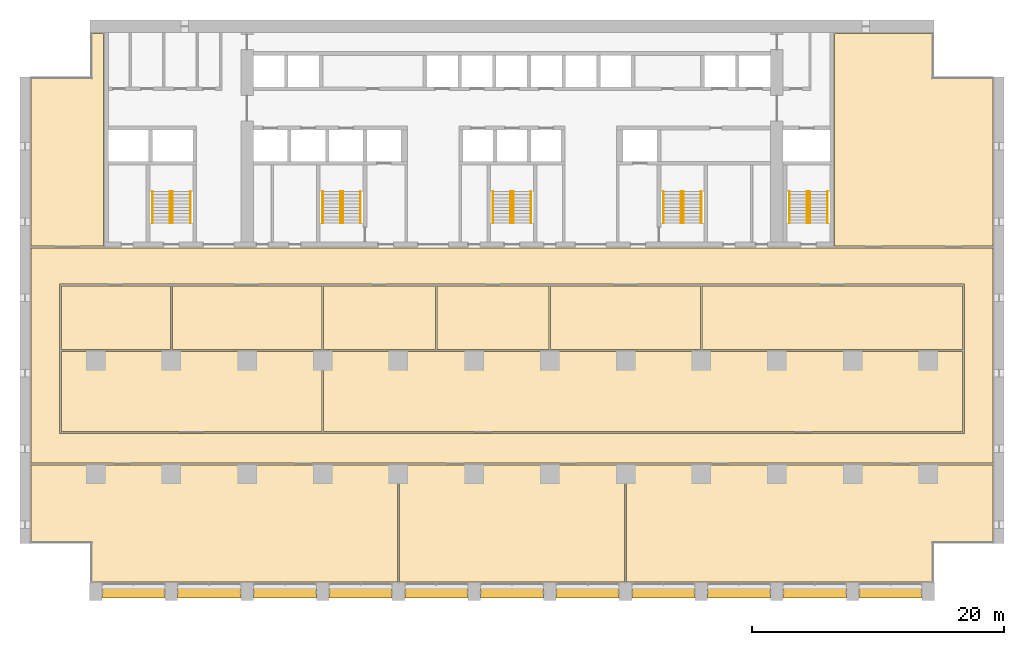
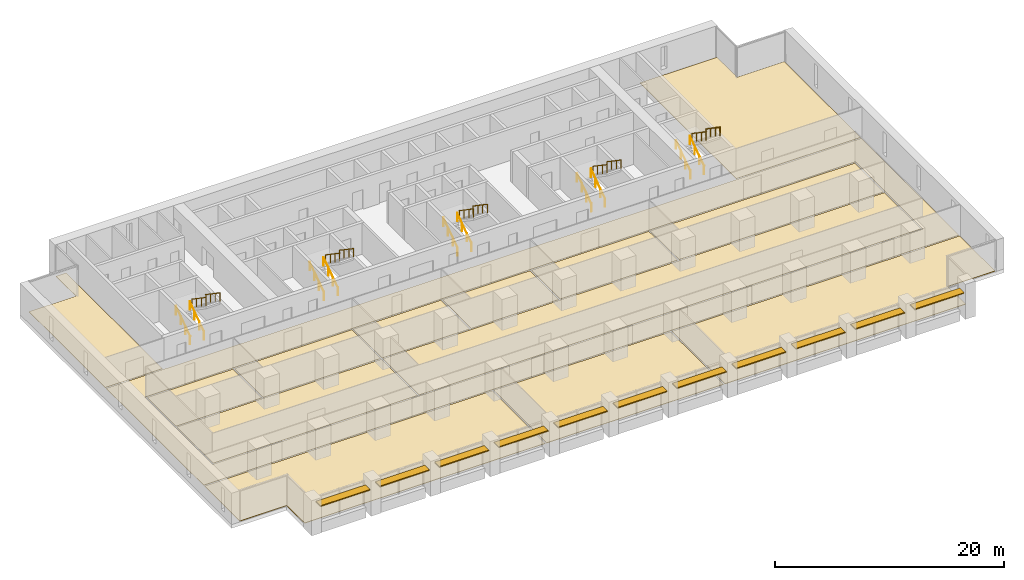
# One storey, part 17 of 17: 20 railings, 14 coverings, 11 shading devices, 5 elements without a shape of their own.
"""IFC4 building model written with IfcOpenShell, lengths in metres."""

from ifc_helpers import new_model, si_unit, direction, frame, origin, origin_2d, place, context, subcontext, project, spatial, polyline, rectangle, circle, outline, extrude, material, layer, layer_set, material_profile, profile_set, type_object, element, aggregate, save


model = new_model("IFC4")

# Units and contexts
model_context = context("Model", 3, precision=1e-05, world=origin(), true_north=direction((0.0, 1.0)))
body_context = subcontext(model_context, "Body", "Model", "MODEL_VIEW")
ifc_project = project(units=[si_unit("LENGTHUNIT", "METRE"), si_unit("AREAUNIT", "SQUARE_METRE"), si_unit("VOLUMEUNIT", "CUBIC_METRE"), si_unit("PLANEANGLEUNIT", "RADIAN"), si_unit("MASSUNIT", "GRAM", prefix="KILO")], contexts=[model_context])

# Site, building, storey
site_placement = place(None, origin())
site = spatial("IfcSite", under=ifc_project, at=site_placement, CompositionType="ELEMENT")
building_placement = place(site_placement, origin())
building = spatial("IfcBuilding", under=site, at=building_placement, Name="Calvaro Tower", CompositionType="ELEMENT")
storey_placement = place(building_placement, frame((0.0, 0.0, 75.0)))
storey = spatial("IfcBuildingStorey", under=building, at=storey_placement, Name="L18", CompositionType="ELEMENT", Elevation=75.0)

# Shading devices
ifc_material_1 = material(Name="Anodised aluminium", Category="aluminium")
ifc_material_profile = material_profile(ifc_material_1, rectangle(XDim=0.800048828125, YDim=0.10009765625, at=origin_2d()), Name="Brise-soleil blade 800 x 100")
ifc_profile_set = profile_set([ifc_material_profile], Name="Anodised aluminium")
shading_device_type = type_object("IfcShadingDeviceType", Name="Brise-soleil blade 800 x 100", PredefinedType="JALOUSIE", material=ifc_profile_set)
for number, where, z_axis, x_axis, name in (
    (1, (6.5, 0.60009765625, 2.300048828125), (1.0, 0.0, 0.0), (0.0, 1.0, 0.0), "Brise-soleil blade 1"),
    (2, (12.5, 0.60009765625, 2.300048828125), (1.0, 0.0, 0.0), (0.0, 1.0, 0.0), "Brise-soleil blade 2"),
    (3, (18.5, 0.60009765625, 2.300048828125), (1.0, 0.0, 0.0), (0.0, 1.0, 0.0), "Brise-soleil blade 3"),
    (4, (24.5, 0.60009765625, 2.300048828125), (1.0, 0.0, 0.0), (0.0, 1.0, 0.0), "Brise-soleil blade 4"),
    (5, (30.5, 0.60009765625, 2.300048828125), (1.0, 0.0, 0.0), (0.0, 1.0, 0.0), "Brise-soleil blade 5"),
    (6, (36.5, 0.60009765625, 2.300048828125), (1.0, 0.0, 0.0), (0.0, 1.0, 0.0), "Brise-soleil blade 6"),
    (7, (42.5, 0.60009765625, 2.300048828125), (1.0, 0.0, 0.0), (0.0, 1.0, 0.0), "Brise-soleil blade 7"),
    (8, (48.5, 0.60009765625, 2.300048828125), (1.0, 0.0, 0.0), (0.0, 1.0, 0.0), "Brise-soleil blade 8"),
    (9, (54.5, 0.60009765625, 2.300048828125), (1.0, 0.0, 0.0), (0.0, 1.0, 0.0), "Brise-soleil blade 9"),
    (10, (60.5, 0.60009765625, 2.300048828125), (1.0, 0.0, 0.0), (0.0, 1.0, 0.0), "Brise-soleil blade 10"),
    (11, (66.5, 0.60009765625, 2.300048828125), (1.0, 0.0, 0.0), (0.0, 1.0, 0.0), "Brise-soleil blade 11"),
):
    element("IfcShadingDevice", number, at=place(storey_placement, frame(where, z_axis=z_axis, x_axis=x_axis)), inside=storey, type_object=shading_device_type, Name=name, PredefinedType="JALOUSIE", context=body_context, shape_type="SweptSolid", body=[
        extrude(rectangle(XDim=0.800048828125, YDim=0.10009765625, at=origin_2d()), origin(), (0.0, 0.0, 1.0), 5.0),
    ])

# Coverings
ifc_material_2 = material(Name="Cement screed with carpet tile finish")
ifc_layer = layer(ifc_material_2, 0.050048828125)
ifc_layer_set = layer_set([ifc_layer], Name="Cement screed with carpet tile finish")
covering_type = type_object("IfcCoveringType", Name="Floor finish 50", PredefinedType="FLOORING", material=ifc_layer_set)
covering_1_placement = place(storey_placement, origin())
element("IfcCovering", 12, at=covering_1_placement, inside=storey, type_object=covering_type, Name="Floor finish 13.01", PredefinedType="FLOORING", context=body_context, shape_type="SweptSolid", body=[
    extrude(outline(polyline([(0.8701171875, 10.8701171875), (0.8701171875, 27.929931640625), (77.1298828125, 27.929931640625), (77.1298828125, 10.8701171875), (0.8701171875, 10.8701171875)]), holes=[polyline([(74.8701171875, 13.22998046875), (74.8701171875, 25.070068359375), (3.1298828125, 25.070068359375), (3.1298828125, 13.22998046875), (74.8701171875, 13.22998046875)])]), origin(), (0.0, 0.0, 1.0), 0.050048828125),
])
covering_2_placement = place(storey_placement, origin())
element("IfcCovering", 13, at=covering_2_placement, inside=storey, type_object=covering_type, Name="Floor finish 13.03", PredefinedType="FLOORING", context=body_context, shape_type="SweptSolid", body=[
    extrude(outline(polyline([(29.929931640625, 10.72998046875), (29.929931640625, 1.469970703125), (5.6201171875, 1.469970703125), (5.6201171875, 4.570068359375), (0.8701171875, 4.570068359375), (0.8701171875, 10.72998046875), (29.929931640625, 10.72998046875)])), origin(), (0.0, 0.0, 1.0), 0.050048828125),
])
covering_3_placement = place(storey_placement, origin())
element("IfcCovering", 14, at=covering_3_placement, inside=storey, type_object=covering_type, Name="Floor finish 13.02", PredefinedType="FLOORING", context=body_context, shape_type="SweptSolid", body=[
    extrude(outline(polyline([(30.070068359375, 10.72998046875), (47.929931640625, 10.72998046875), (47.929931640625, 1.469970703125), (30.070068359375, 1.469970703125), (30.070068359375, 10.72998046875)])), origin(), (0.0, 0.0, 1.0), 0.050048828125),
])
covering_4_placement = place(storey_placement, origin())
element("IfcCovering", 15, at=covering_4_placement, inside=storey, type_object=covering_type, Name="Floor finish 13.04", PredefinedType="FLOORING", context=body_context, shape_type="SweptSolid", body=[
    extrude(outline(polyline([(77.1298828125, 4.570068359375), (72.3798828125, 4.570068359375), (72.3798828125, 1.469970703125), (48.070068359375, 1.469970703125), (48.070068359375, 10.72998046875), (77.1298828125, 10.72998046875), (77.1298828125, 4.570068359375)])), origin(), (0.0, 0.0, 1.0), 0.050048828125),
])
covering_5_placement = place(storey_placement, origin())
element("IfcCovering", 16, at=covering_5_placement, inside=storey, type_object=covering_type, Name="Floor finish 13.05", PredefinedType="FLOORING", context=body_context, shape_type="SweptSolid", body=[
    extrude(outline(polyline([(3.27001953125, 13.3701171875), (3.27001953125, 19.72998046875), (23.929931640625, 19.72998046875), (23.929931640625, 13.3701171875), (3.27001953125, 13.3701171875)])), origin(), (0.0, 0.0, 1.0), 0.050048828125),
])
covering_6_placement = place(storey_placement, origin())
element("IfcCovering", 17, at=covering_6_placement, inside=storey, type_object=covering_type, Name="Floor finish 13.06", PredefinedType="FLOORING", context=body_context, shape_type="SweptSolid", body=[
    extrude(outline(polyline([(24.070068359375, 13.3701171875), (24.070068359375, 19.72998046875), (74.72998046875, 19.72998046875), (74.72998046875, 13.3701171875), (24.070068359375, 13.3701171875)])), origin(), (0.0, 0.0, 1.0), 0.050048828125),
])
covering_7_placement = place(storey_placement, origin())
element("IfcCovering", 18, at=covering_7_placement, inside=storey, type_object=covering_type, Name="Floor finish 13.07", PredefinedType="FLOORING", context=body_context, shape_type="SweptSolid", body=[
    extrude(outline(polyline([(3.27001953125, 19.8701171875), (3.27001953125, 24.929931640625), (11.929931640625, 24.929931640625), (11.929931640625, 19.8701171875), (3.27001953125, 19.8701171875)])), origin(), (0.0, 0.0, 1.0), 0.050048828125),
])
covering_8_placement = place(storey_placement, origin())
element("IfcCovering", 19, at=covering_8_placement, inside=storey, type_object=covering_type, Name="Floor finish 13.08", PredefinedType="FLOORING", context=body_context, shape_type="SweptSolid", body=[
    extrude(outline(polyline([(12.070068359375, 19.8701171875), (12.070068359375, 24.929931640625), (23.929931640625, 24.929931640625), (23.929931640625, 19.8701171875), (12.070068359375, 19.8701171875)])), origin(), (0.0, 0.0, 1.0), 0.050048828125),
])
covering_9_placement = place(storey_placement, origin())
element("IfcCovering", 20, at=covering_9_placement, inside=storey, type_object=covering_type, Name="Floor finish 13.09", PredefinedType="FLOORING", context=body_context, shape_type="SweptSolid", body=[
    extrude(outline(polyline([(24.070068359375, 19.8701171875), (24.070068359375, 24.929931640625), (32.929931640625, 24.929931640625), (32.929931640625, 19.8701171875), (24.070068359375, 19.8701171875)])), origin(), (0.0, 0.0, 1.0), 0.050048828125),
])
covering_10_placement = place(storey_placement, origin())
element("IfcCovering", 21, at=covering_10_placement, inside=storey, type_object=covering_type, Name="Floor finish 13.10", PredefinedType="FLOORING", context=body_context, shape_type="SweptSolid", body=[
    extrude(outline(polyline([(33.070068359375, 19.8701171875), (33.070068359375, 24.929931640625), (41.929931640625, 24.929931640625), (41.929931640625, 19.8701171875), (33.070068359375, 19.8701171875)])), origin(), (0.0, 0.0, 1.0), 0.050048828125),
])
covering_11_placement = place(storey_placement, origin())
element("IfcCovering", 22, at=covering_11_placement, inside=storey, type_object=covering_type, Name="Floor finish 13.11", PredefinedType="FLOORING", context=body_context, shape_type="SweptSolid", body=[
    extrude(outline(polyline([(42.070068359375, 19.8701171875), (42.070068359375, 24.929931640625), (53.929931640625, 24.929931640625), (53.929931640625, 19.8701171875), (42.070068359375, 19.8701171875)])), origin(), (0.0, 0.0, 1.0), 0.050048828125),
])
covering_12_placement = place(storey_placement, origin())
element("IfcCovering", 23, at=covering_12_placement, inside=storey, type_object=covering_type, Name="Floor finish 13.12", PredefinedType="FLOORING", context=body_context, shape_type="SweptSolid", body=[
    extrude(outline(polyline([(54.070068359375, 19.8701171875), (54.070068359375, 24.929931640625), (74.72998046875, 24.929931640625), (74.72998046875, 19.8701171875), (54.070068359375, 19.8701171875)])), origin(), (0.0, 0.0, 1.0), 0.050048828125),
])
covering_13_placement = place(storey_placement, origin())
element("IfcCovering", 24, at=covering_13_placement, inside=storey, type_object=covering_type, Name="Floor finish 13.13", PredefinedType="FLOORING", context=body_context, shape_type="SweptSolid", body=[
    extrude(outline(polyline([(6.6298828125, 28.070068359375), (0.8701171875, 28.070068359375), (0.8701171875, 41.429931640625), (5.6201171875, 41.429931640625), (5.6201171875, 44.929931640625), (6.6298828125, 44.929931640625), (6.6298828125, 28.070068359375)])), origin(), (0.0, 0.0, 1.0), 0.050048828125),
])
covering_14_placement = place(storey_placement, origin())
element("IfcCovering", 25, at=covering_14_placement, inside=storey, type_object=covering_type, Name="Floor finish 13.14", PredefinedType="FLOORING", context=body_context, shape_type="SweptSolid", body=[
    extrude(outline(polyline([(77.1298828125, 28.070068359375), (64.570068359375, 28.070068359375), (64.570068359375, 44.929931640625), (72.3798828125, 44.929931640625), (72.3798828125, 41.429931640625), (77.1298828125, 41.429931640625), (77.1298828125, 28.070068359375)])), origin(), (0.0, 0.0, 1.0), 0.050048828125),
])

# Stair, railings
ifc_material_3 = material(Name="Concrete C40/50", Category="concrete")
stair_type = type_object("IfcStairType", Name="Exit stair 1400 2 flights", PredefinedType="HALF_TURN_STAIR", material=ifc_material_3)
stair_1_placement = place(storey_placement, origin())
stair_1 = element("IfcStair", 26, at=stair_1_placement, inside=storey, type_object=stair_type, Name="Exit stair S1", PredefinedType="HALF_TURN_STAIR")
ifc_material_4 = material(Name="Stainless steel", Category="steel")
railing_type = type_object("IfcRailingType", Name="Stair handrail", PredefinedType="HANDRAIL", material=ifc_material_4)
railing_1_placement = place(storey_placement, frame((11.89990234375, 29.89990234375, 0.17041015625)))
railing_1 = element("IfcRailing", 27, at=railing_1_placement, type_object=railing_type, Name="Exit stair 1 handrail", PredefinedType="HANDRAIL", context=body_context, shape_type="SweptSolid", body=[
    extrude(circle(Radius=0.02392578125, at=origin_2d()), frame((0.0, 0.0, 0.8759765625), z_axis=(0.0, 0.826220514629, 0.563346839174), x_axis=(-1.0, 0.0, 0.0)), (0.0, 0.0, 1.0), 3.02587890625),
    extrude(circle(Radius=0.02099609375, at=origin_2d()), frame((0.0, 0.017333984375, 0.01171875)), (0.0, 0.0, 1.0), 0.851806640625),
    extrude(circle(Radius=0.02099609375, at=origin_2d()), frame((0.0, 0.833251953125, 0.568115234375)), (0.0, 0.0, 1.0), 0.851806640625),
    extrude(circle(Radius=0.02099609375, at=origin_2d()), frame((0.0, 1.666748046875, 1.136474609375)), (0.0, 0.0, 1.0), 0.851806640625),
    extrude(circle(Radius=0.02099609375, at=origin_2d()), frame((0.0, 2.482666015625, 1.69287109375)), (0.0, 0.0, 1.0), 0.851806640625),
])
railing_2_placement = place(storey_placement, frame((10.5, 29.89990234375, 0.17041015625)))
railing_2 = element("IfcRailing", 28, at=railing_2_placement, type_object=railing_type, Name="Exit stair 1 handrail", PredefinedType="HANDRAIL", context=body_context, shape_type="SweptSolid", body=[
    extrude(circle(Radius=0.02392578125, at=origin_2d()), frame((0.0, 0.0, 0.8759765625), z_axis=(0.0, 0.826220514629, 0.563346839174), x_axis=(-1.0, 0.0, 0.0)), (0.0, 0.0, 1.0), 3.02587890625),
    extrude(circle(Radius=0.02099609375, at=origin_2d()), frame((0.0, 0.017333984375, 0.01171875)), (0.0, 0.0, 1.0), 0.851806640625),
    extrude(circle(Radius=0.02099609375, at=origin_2d()), frame((0.0, 0.833251953125, 0.568115234375)), (0.0, 0.0, 1.0), 0.851806640625),
    extrude(circle(Radius=0.02099609375, at=origin_2d()), frame((0.0, 1.666748046875, 1.136474609375)), (0.0, 0.0, 1.0), 0.851806640625),
    extrude(circle(Radius=0.02099609375, at=origin_2d()), frame((0.0, 2.482666015625, 1.69287109375)), (0.0, 0.0, 1.0), 0.851806640625),
])
railing_3_placement = place(storey_placement, frame((12.10009765625, 32.39990234375, 2.04541015625)))
railing_3 = element("IfcRailing", 29, at=railing_3_placement, type_object=railing_type, Name="Exit stair 1 handrail", PredefinedType="HANDRAIL", context=body_context, shape_type="SweptSolid", body=[
    extrude(circle(Radius=0.02392578125, at=origin_2d()), frame((0.0, 0.0, 0.8759765625), z_axis=(0.0, -0.826220514629, 0.563346839174), x_axis=(1.0, 0.0, 0.0)), (0.0, 0.0, 1.0), 3.02587890625),
    extrude(circle(Radius=0.02099609375, at=origin_2d()), frame((0.0, -0.017333984375, 0.01171875)), (0.0, 0.0, 1.0), 0.851806640625),
    extrude(circle(Radius=0.02099609375, at=origin_2d()), frame((0.0, -0.833251953125, 0.568115234375)), (0.0, 0.0, 1.0), 0.851806640625),
    extrude(circle(Radius=0.02099609375, at=origin_2d()), frame((0.0, -1.666748046875, 1.136474609375)), (0.0, 0.0, 1.0), 0.851806640625),
    extrude(circle(Radius=0.02099609375, at=origin_2d()), frame((0.0, -2.482666015625, 1.69287109375)), (0.0, 0.0, 1.0), 0.851806640625),
])
railing_4_placement = place(storey_placement, frame((13.5, 32.39990234375, 2.04541015625)))
railing_4 = element("IfcRailing", 30, at=railing_4_placement, type_object=railing_type, Name="Exit stair 1 handrail", PredefinedType="HANDRAIL", context=body_context, shape_type="SweptSolid", body=[
    extrude(circle(Radius=0.02392578125, at=origin_2d()), frame((0.0, 0.0, 0.8759765625), z_axis=(0.0, -0.826220514629, 0.563346839174), x_axis=(1.0, 0.0, 0.0)), (0.0, 0.0, 1.0), 3.02587890625),
    extrude(circle(Radius=0.02099609375, at=origin_2d()), frame((0.0, -0.017333984375, 0.01171875)), (0.0, 0.0, 1.0), 0.851806640625),
    extrude(circle(Radius=0.02099609375, at=origin_2d()), frame((0.0, -0.833251953125, 0.568115234375)), (0.0, 0.0, 1.0), 0.851806640625),
    extrude(circle(Radius=0.02099609375, at=origin_2d()), frame((0.0, -1.666748046875, 1.136474609375)), (0.0, 0.0, 1.0), 0.851806640625),
    extrude(circle(Radius=0.02099609375, at=origin_2d()), frame((0.0, -2.482666015625, 1.69287109375)), (0.0, 0.0, 1.0), 0.851806640625),
])
aggregate(stair_1, [railing_1, railing_2, railing_3, railing_4])

stair_2_placement = place(storey_placement, origin())
stair_2 = element("IfcStair", 31, at=stair_2_placement, inside=storey, type_object=stair_type, Name="Exit stair S2", PredefinedType="HALF_TURN_STAIR")
railing_5_placement = place(storey_placement, frame((25.39990234375, 29.89990234375, 0.17041015625)))
railing_5 = element("IfcRailing", 32, at=railing_5_placement, type_object=railing_type, Name="Exit stair 2 handrail", PredefinedType="HANDRAIL", context=body_context, shape_type="SweptSolid", body=[
    extrude(circle(Radius=0.02392578125, at=origin_2d()), frame((0.0, 0.0, 0.8759765625), z_axis=(0.0, 0.826220514629, 0.563346839174), x_axis=(-1.0, 0.0, 0.0)), (0.0, 0.0, 1.0), 3.02587890625),
    extrude(circle(Radius=0.02099609375, at=origin_2d()), frame((0.0, 0.017333984375, 0.01171875)), (0.0, 0.0, 1.0), 0.851806640625),
    extrude(circle(Radius=0.02099609375, at=origin_2d()), frame((0.0, 0.833251953125, 0.568115234375)), (0.0, 0.0, 1.0), 0.851806640625),
    extrude(circle(Radius=0.02099609375, at=origin_2d()), frame((0.0, 1.666748046875, 1.136474609375)), (0.0, 0.0, 1.0), 0.851806640625),
    extrude(circle(Radius=0.02099609375, at=origin_2d()), frame((0.0, 2.482666015625, 1.69287109375)), (0.0, 0.0, 1.0), 0.851806640625),
])
railing_6_placement = place(storey_placement, frame((24.0, 29.89990234375, 0.17041015625)))
railing_6 = element("IfcRailing", 33, at=railing_6_placement, type_object=railing_type, Name="Exit stair 2 handrail", PredefinedType="HANDRAIL", context=body_context, shape_type="SweptSolid", body=[
    extrude(circle(Radius=0.02392578125, at=origin_2d()), frame((0.0, 0.0, 0.8759765625), z_axis=(0.0, 0.826220514629, 0.563346839174), x_axis=(-1.0, 0.0, 0.0)), (0.0, 0.0, 1.0), 3.02587890625),
    extrude(circle(Radius=0.02099609375, at=origin_2d()), frame((0.0, 0.017333984375, 0.01171875)), (0.0, 0.0, 1.0), 0.851806640625),
    extrude(circle(Radius=0.02099609375, at=origin_2d()), frame((0.0, 0.833251953125, 0.568115234375)), (0.0, 0.0, 1.0), 0.851806640625),
    extrude(circle(Radius=0.02099609375, at=origin_2d()), frame((0.0, 1.666748046875, 1.136474609375)), (0.0, 0.0, 1.0), 0.851806640625),
    extrude(circle(Radius=0.02099609375, at=origin_2d()), frame((0.0, 2.482666015625, 1.69287109375)), (0.0, 0.0, 1.0), 0.851806640625),
])
railing_7_placement = place(storey_placement, frame((25.60009765625, 32.39990234375, 2.04541015625)))
railing_7 = element("IfcRailing", 34, at=railing_7_placement, type_object=railing_type, Name="Exit stair 2 handrail", PredefinedType="HANDRAIL", context=body_context, shape_type="SweptSolid", body=[
    extrude(circle(Radius=0.02392578125, at=origin_2d()), frame((0.0, 0.0, 0.8759765625), z_axis=(0.0, -0.826220514629, 0.563346839174), x_axis=(1.0, 0.0, 0.0)), (0.0, 0.0, 1.0), 3.02587890625),
    extrude(circle(Radius=0.02099609375, at=origin_2d()), frame((0.0, -0.017333984375, 0.01171875)), (0.0, 0.0, 1.0), 0.851806640625),
    extrude(circle(Radius=0.02099609375, at=origin_2d()), frame((0.0, -0.833251953125, 0.568115234375)), (0.0, 0.0, 1.0), 0.851806640625),
    extrude(circle(Radius=0.02099609375, at=origin_2d()), frame((0.0, -1.666748046875, 1.136474609375)), (0.0, 0.0, 1.0), 0.851806640625),
    extrude(circle(Radius=0.02099609375, at=origin_2d()), frame((0.0, -2.482666015625, 1.69287109375)), (0.0, 0.0, 1.0), 0.851806640625),
])
railing_8_placement = place(storey_placement, frame((27.0, 32.39990234375, 2.04541015625)))
railing_8 = element("IfcRailing", 35, at=railing_8_placement, type_object=railing_type, Name="Exit stair 2 handrail", PredefinedType="HANDRAIL", context=body_context, shape_type="SweptSolid", body=[
    extrude(circle(Radius=0.02392578125, at=origin_2d()), frame((0.0, 0.0, 0.8759765625), z_axis=(0.0, -0.826220514629, 0.563346839174), x_axis=(1.0, 0.0, 0.0)), (0.0, 0.0, 1.0), 3.02587890625),
    extrude(circle(Radius=0.02099609375, at=origin_2d()), frame((0.0, -0.017333984375, 0.01171875)), (0.0, 0.0, 1.0), 0.851806640625),
    extrude(circle(Radius=0.02099609375, at=origin_2d()), frame((0.0, -0.833251953125, 0.568115234375)), (0.0, 0.0, 1.0), 0.851806640625),
    extrude(circle(Radius=0.02099609375, at=origin_2d()), frame((0.0, -1.666748046875, 1.136474609375)), (0.0, 0.0, 1.0), 0.851806640625),
    extrude(circle(Radius=0.02099609375, at=origin_2d()), frame((0.0, -2.482666015625, 1.69287109375)), (0.0, 0.0, 1.0), 0.851806640625),
])
aggregate(stair_2, [railing_5, railing_6, railing_7, railing_8])

stair_3_placement = place(storey_placement, origin())
stair_3 = element("IfcStair", 36, at=stair_3_placement, inside=storey, type_object=stair_type, Name="Exit stair S3", PredefinedType="HALF_TURN_STAIR")
railing_9_placement = place(storey_placement, frame((38.89990234375, 29.89990234375, 0.17041015625)))
railing_9 = element("IfcRailing", 37, at=railing_9_placement, type_object=railing_type, Name="Exit stair 3 handrail", PredefinedType="HANDRAIL", context=body_context, shape_type="SweptSolid", body=[
    extrude(circle(Radius=0.02392578125, at=origin_2d()), frame((0.0, 0.0, 0.8759765625), z_axis=(0.0, 0.826220514629, 0.563346839174), x_axis=(-1.0, 0.0, 0.0)), (0.0, 0.0, 1.0), 3.02587890625),
    extrude(circle(Radius=0.02099609375, at=origin_2d()), frame((0.0, 0.017333984375, 0.01171875)), (0.0, 0.0, 1.0), 0.851806640625),
    extrude(circle(Radius=0.02099609375, at=origin_2d()), frame((0.0, 0.833251953125, 0.568115234375)), (0.0, 0.0, 1.0), 0.851806640625),
    extrude(circle(Radius=0.02099609375, at=origin_2d()), frame((0.0, 1.666748046875, 1.136474609375)), (0.0, 0.0, 1.0), 0.851806640625),
    extrude(circle(Radius=0.02099609375, at=origin_2d()), frame((0.0, 2.482666015625, 1.69287109375)), (0.0, 0.0, 1.0), 0.851806640625),
])
railing_10_placement = place(storey_placement, frame((37.5, 29.89990234375, 0.17041015625)))
railing_10 = element("IfcRailing", 38, at=railing_10_placement, type_object=railing_type, Name="Exit stair 3 handrail", PredefinedType="HANDRAIL", context=body_context, shape_type="SweptSolid", body=[
    extrude(circle(Radius=0.02392578125, at=origin_2d()), frame((0.0, 0.0, 0.8759765625), z_axis=(0.0, 0.826220514629, 0.563346839174), x_axis=(-1.0, 0.0, 0.0)), (0.0, 0.0, 1.0), 3.02587890625),
    extrude(circle(Radius=0.02099609375, at=origin_2d()), frame((0.0, 0.017333984375, 0.01171875)), (0.0, 0.0, 1.0), 0.851806640625),
    extrude(circle(Radius=0.02099609375, at=origin_2d()), frame((0.0, 0.833251953125, 0.568115234375)), (0.0, 0.0, 1.0), 0.851806640625),
    extrude(circle(Radius=0.02099609375, at=origin_2d()), frame((0.0, 1.666748046875, 1.136474609375)), (0.0, 0.0, 1.0), 0.851806640625),
    extrude(circle(Radius=0.02099609375, at=origin_2d()), frame((0.0, 2.482666015625, 1.69287109375)), (0.0, 0.0, 1.0), 0.851806640625),
])
railing_11_placement = place(storey_placement, frame((39.10009765625, 32.39990234375, 2.04541015625)))
railing_11 = element("IfcRailing", 39, at=railing_11_placement, type_object=railing_type, Name="Exit stair 3 handrail", PredefinedType="HANDRAIL", context=body_context, shape_type="SweptSolid", body=[
    extrude(circle(Radius=0.02392578125, at=origin_2d()), frame((0.0, 0.0, 0.8759765625), z_axis=(0.0, -0.826220514629, 0.563346839174), x_axis=(1.0, 0.0, 0.0)), (0.0, 0.0, 1.0), 3.02587890625),
    extrude(circle(Radius=0.02099609375, at=origin_2d()), frame((0.0, -0.017333984375, 0.01171875)), (0.0, 0.0, 1.0), 0.851806640625),
    extrude(circle(Radius=0.02099609375, at=origin_2d()), frame((0.0, -0.833251953125, 0.568115234375)), (0.0, 0.0, 1.0), 0.851806640625),
    extrude(circle(Radius=0.02099609375, at=origin_2d()), frame((0.0, -1.666748046875, 1.136474609375)), (0.0, 0.0, 1.0), 0.851806640625),
    extrude(circle(Radius=0.02099609375, at=origin_2d()), frame((0.0, -2.482666015625, 1.69287109375)), (0.0, 0.0, 1.0), 0.851806640625),
])
railing_12_placement = place(storey_placement, frame((40.5, 32.39990234375, 2.04541015625)))
railing_12 = element("IfcRailing", 40, at=railing_12_placement, type_object=railing_type, Name="Exit stair 3 handrail", PredefinedType="HANDRAIL", context=body_context, shape_type="SweptSolid", body=[
    extrude(circle(Radius=0.02392578125, at=origin_2d()), frame((0.0, 0.0, 0.8759765625), z_axis=(0.0, -0.826220514629, 0.563346839174), x_axis=(1.0, 0.0, 0.0)), (0.0, 0.0, 1.0), 3.02587890625),
    extrude(circle(Radius=0.02099609375, at=origin_2d()), frame((0.0, -0.017333984375, 0.01171875)), (0.0, 0.0, 1.0), 0.851806640625),
    extrude(circle(Radius=0.02099609375, at=origin_2d()), frame((0.0, -0.833251953125, 0.568115234375)), (0.0, 0.0, 1.0), 0.851806640625),
    extrude(circle(Radius=0.02099609375, at=origin_2d()), frame((0.0, -1.666748046875, 1.136474609375)), (0.0, 0.0, 1.0), 0.851806640625),
    extrude(circle(Radius=0.02099609375, at=origin_2d()), frame((0.0, -2.482666015625, 1.69287109375)), (0.0, 0.0, 1.0), 0.851806640625),
])
aggregate(stair_3, [railing_9, railing_10, railing_11, railing_12])

stair_4_placement = place(storey_placement, origin())
stair_4 = element("IfcStair", 41, at=stair_4_placement, inside=storey, type_object=stair_type, Name="Exit stair S4", PredefinedType="HALF_TURN_STAIR")
railing_13_placement = place(storey_placement, frame((52.39990234375, 29.89990234375, 0.17041015625)))
railing_13 = element("IfcRailing", 42, at=railing_13_placement, type_object=railing_type, Name="Exit stair 4 handrail", PredefinedType="HANDRAIL", context=body_context, shape_type="SweptSolid", body=[
    extrude(circle(Radius=0.02392578125, at=origin_2d()), frame((0.0, 0.0, 0.8759765625), z_axis=(0.0, 0.826220514629, 0.563346839174), x_axis=(-1.0, 0.0, 0.0)), (0.0, 0.0, 1.0), 3.02587890625),
    extrude(circle(Radius=0.02099609375, at=origin_2d()), frame((0.0, 0.017333984375, 0.01171875)), (0.0, 0.0, 1.0), 0.851806640625),
    extrude(circle(Radius=0.02099609375, at=origin_2d()), frame((0.0, 0.833251953125, 0.568115234375)), (0.0, 0.0, 1.0), 0.851806640625),
    extrude(circle(Radius=0.02099609375, at=origin_2d()), frame((0.0, 1.666748046875, 1.136474609375)), (0.0, 0.0, 1.0), 0.851806640625),
    extrude(circle(Radius=0.02099609375, at=origin_2d()), frame((0.0, 2.482666015625, 1.69287109375)), (0.0, 0.0, 1.0), 0.851806640625),
])
railing_14_placement = place(storey_placement, frame((51.0, 29.89990234375, 0.17041015625)))
railing_14 = element("IfcRailing", 43, at=railing_14_placement, type_object=railing_type, Name="Exit stair 4 handrail", PredefinedType="HANDRAIL", context=body_context, shape_type="SweptSolid", body=[
    extrude(circle(Radius=0.02392578125, at=origin_2d()), frame((0.0, 0.0, 0.8759765625), z_axis=(0.0, 0.826220514629, 0.563346839174), x_axis=(-1.0, 0.0, 0.0)), (0.0, 0.0, 1.0), 3.02587890625),
    extrude(circle(Radius=0.02099609375, at=origin_2d()), frame((0.0, 0.017333984375, 0.01171875)), (0.0, 0.0, 1.0), 0.851806640625),
    extrude(circle(Radius=0.02099609375, at=origin_2d()), frame((0.0, 0.833251953125, 0.568115234375)), (0.0, 0.0, 1.0), 0.851806640625),
    extrude(circle(Radius=0.02099609375, at=origin_2d()), frame((0.0, 1.666748046875, 1.136474609375)), (0.0, 0.0, 1.0), 0.851806640625),
    extrude(circle(Radius=0.02099609375, at=origin_2d()), frame((0.0, 2.482666015625, 1.69287109375)), (0.0, 0.0, 1.0), 0.851806640625),
])
railing_15_placement = place(storey_placement, frame((52.60009765625, 32.39990234375, 2.04541015625)))
railing_15 = element("IfcRailing", 44, at=railing_15_placement, type_object=railing_type, Name="Exit stair 4 handrail", PredefinedType="HANDRAIL", context=body_context, shape_type="SweptSolid", body=[
    extrude(circle(Radius=0.02392578125, at=origin_2d()), frame((0.0, 0.0, 0.8759765625), z_axis=(0.0, -0.826220514629, 0.563346839174), x_axis=(1.0, 0.0, 0.0)), (0.0, 0.0, 1.0), 3.02587890625),
    extrude(circle(Radius=0.02099609375, at=origin_2d()), frame((0.0, -0.017333984375, 0.01171875)), (0.0, 0.0, 1.0), 0.851806640625),
    extrude(circle(Radius=0.02099609375, at=origin_2d()), frame((0.0, -0.833251953125, 0.568115234375)), (0.0, 0.0, 1.0), 0.851806640625),
    extrude(circle(Radius=0.02099609375, at=origin_2d()), frame((0.0, -1.666748046875, 1.136474609375)), (0.0, 0.0, 1.0), 0.851806640625),
    extrude(circle(Radius=0.02099609375, at=origin_2d()), frame((0.0, -2.482666015625, 1.69287109375)), (0.0, 0.0, 1.0), 0.851806640625),
])
railing_16_placement = place(storey_placement, frame((54.0, 32.39990234375, 2.04541015625)))
railing_16 = element("IfcRailing", 45, at=railing_16_placement, type_object=railing_type, Name="Exit stair 4 handrail", PredefinedType="HANDRAIL", context=body_context, shape_type="SweptSolid", body=[
    extrude(circle(Radius=0.02392578125, at=origin_2d()), frame((0.0, 0.0, 0.8759765625), z_axis=(0.0, -0.826220514629, 0.563346839174), x_axis=(1.0, 0.0, 0.0)), (0.0, 0.0, 1.0), 3.02587890625),
    extrude(circle(Radius=0.02099609375, at=origin_2d()), frame((0.0, -0.017333984375, 0.01171875)), (0.0, 0.0, 1.0), 0.851806640625),
    extrude(circle(Radius=0.02099609375, at=origin_2d()), frame((0.0, -0.833251953125, 0.568115234375)), (0.0, 0.0, 1.0), 0.851806640625),
    extrude(circle(Radius=0.02099609375, at=origin_2d()), frame((0.0, -1.666748046875, 1.136474609375)), (0.0, 0.0, 1.0), 0.851806640625),
    extrude(circle(Radius=0.02099609375, at=origin_2d()), frame((0.0, -2.482666015625, 1.69287109375)), (0.0, 0.0, 1.0), 0.851806640625),
])
aggregate(stair_4, [railing_13, railing_14, railing_15, railing_16])

stair_5_placement = place(storey_placement, origin())
stair_5 = element("IfcStair", 46, at=stair_5_placement, inside=storey, type_object=stair_type, Name="Exit stair S5", PredefinedType="HALF_TURN_STAIR")
railing_17_placement = place(storey_placement, frame((62.39990234375, 29.89990234375, 0.17041015625)))
railing_17 = element("IfcRailing", 47, at=railing_17_placement, type_object=railing_type, Name="Exit stair 5 handrail", PredefinedType="HANDRAIL", context=body_context, shape_type="SweptSolid", body=[
    extrude(circle(Radius=0.02392578125, at=origin_2d()), frame((0.0, 0.0, 0.8759765625), z_axis=(0.0, 0.826220514629, 0.563346839174), x_axis=(-1.0, 0.0, 0.0)), (0.0, 0.0, 1.0), 3.02587890625),
    extrude(circle(Radius=0.02099609375, at=origin_2d()), frame((0.0, 0.017333984375, 0.01171875)), (0.0, 0.0, 1.0), 0.851806640625),
    extrude(circle(Radius=0.02099609375, at=origin_2d()), frame((0.0, 0.833251953125, 0.568115234375)), (0.0, 0.0, 1.0), 0.851806640625),
    extrude(circle(Radius=0.02099609375, at=origin_2d()), frame((0.0, 1.666748046875, 1.136474609375)), (0.0, 0.0, 1.0), 0.851806640625),
    extrude(circle(Radius=0.02099609375, at=origin_2d()), frame((0.0, 2.482666015625, 1.69287109375)), (0.0, 0.0, 1.0), 0.851806640625),
])
railing_18_placement = place(storey_placement, frame((61.0, 29.89990234375, 0.17041015625)))
railing_18 = element("IfcRailing", 48, at=railing_18_placement, type_object=railing_type, Name="Exit stair 5 handrail", PredefinedType="HANDRAIL", context=body_context, shape_type="SweptSolid", body=[
    extrude(circle(Radius=0.02392578125, at=origin_2d()), frame((0.0, 0.0, 0.8759765625), z_axis=(0.0, 0.826220514629, 0.563346839174), x_axis=(-1.0, 0.0, 0.0)), (0.0, 0.0, 1.0), 3.02587890625),
    extrude(circle(Radius=0.02099609375, at=origin_2d()), frame((0.0, 0.017333984375, 0.01171875)), (0.0, 0.0, 1.0), 0.851806640625),
    extrude(circle(Radius=0.02099609375, at=origin_2d()), frame((0.0, 0.833251953125, 0.568115234375)), (0.0, 0.0, 1.0), 0.851806640625),
    extrude(circle(Radius=0.02099609375, at=origin_2d()), frame((0.0, 1.666748046875, 1.136474609375)), (0.0, 0.0, 1.0), 0.851806640625),
    extrude(circle(Radius=0.02099609375, at=origin_2d()), frame((0.0, 2.482666015625, 1.69287109375)), (0.0, 0.0, 1.0), 0.851806640625),
])
railing_19_placement = place(storey_placement, frame((62.60009765625, 32.39990234375, 2.04541015625)))
railing_19 = element("IfcRailing", 49, at=railing_19_placement, type_object=railing_type, Name="Exit stair 5 handrail", PredefinedType="HANDRAIL", context=body_context, shape_type="SweptSolid", body=[
    extrude(circle(Radius=0.02392578125, at=origin_2d()), frame((0.0, 0.0, 0.8759765625), z_axis=(0.0, -0.826220514629, 0.563346839174), x_axis=(1.0, 0.0, 0.0)), (0.0, 0.0, 1.0), 3.02587890625),
    extrude(circle(Radius=0.02099609375, at=origin_2d()), frame((0.0, -0.017333984375, 0.01171875)), (0.0, 0.0, 1.0), 0.851806640625),
    extrude(circle(Radius=0.02099609375, at=origin_2d()), frame((0.0, -0.833251953125, 0.568115234375)), (0.0, 0.0, 1.0), 0.851806640625),
    extrude(circle(Radius=0.02099609375, at=origin_2d()), frame((0.0, -1.666748046875, 1.136474609375)), (0.0, 0.0, 1.0), 0.851806640625),
    extrude(circle(Radius=0.02099609375, at=origin_2d()), frame((0.0, -2.482666015625, 1.69287109375)), (0.0, 0.0, 1.0), 0.851806640625),
])
railing_20_placement = place(storey_placement, frame((64.0, 32.39990234375, 2.04541015625)))
railing_20 = element("IfcRailing", 50, at=railing_20_placement, type_object=railing_type, Name="Exit stair 5 handrail", PredefinedType="HANDRAIL", context=body_context, shape_type="SweptSolid", body=[
    extrude(circle(Radius=0.02392578125, at=origin_2d()), frame((0.0, 0.0, 0.8759765625), z_axis=(0.0, -0.826220514629, 0.563346839174), x_axis=(1.0, 0.0, 0.0)), (0.0, 0.0, 1.0), 3.02587890625),
    extrude(circle(Radius=0.02099609375, at=origin_2d()), frame((0.0, -0.017333984375, 0.01171875)), (0.0, 0.0, 1.0), 0.851806640625),
    extrude(circle(Radius=0.02099609375, at=origin_2d()), frame((0.0, -0.833251953125, 0.568115234375)), (0.0, 0.0, 1.0), 0.851806640625),
    extrude(circle(Radius=0.02099609375, at=origin_2d()), frame((0.0, -1.666748046875, 1.136474609375)), (0.0, 0.0, 1.0), 0.851806640625),
    extrude(circle(Radius=0.02099609375, at=origin_2d()), frame((0.0, -2.482666015625, 1.69287109375)), (0.0, 0.0, 1.0), 0.851806640625),
])
aggregate(stair_5, [railing_17, railing_18, railing_19, railing_20])

save(model, "model.ifc")
